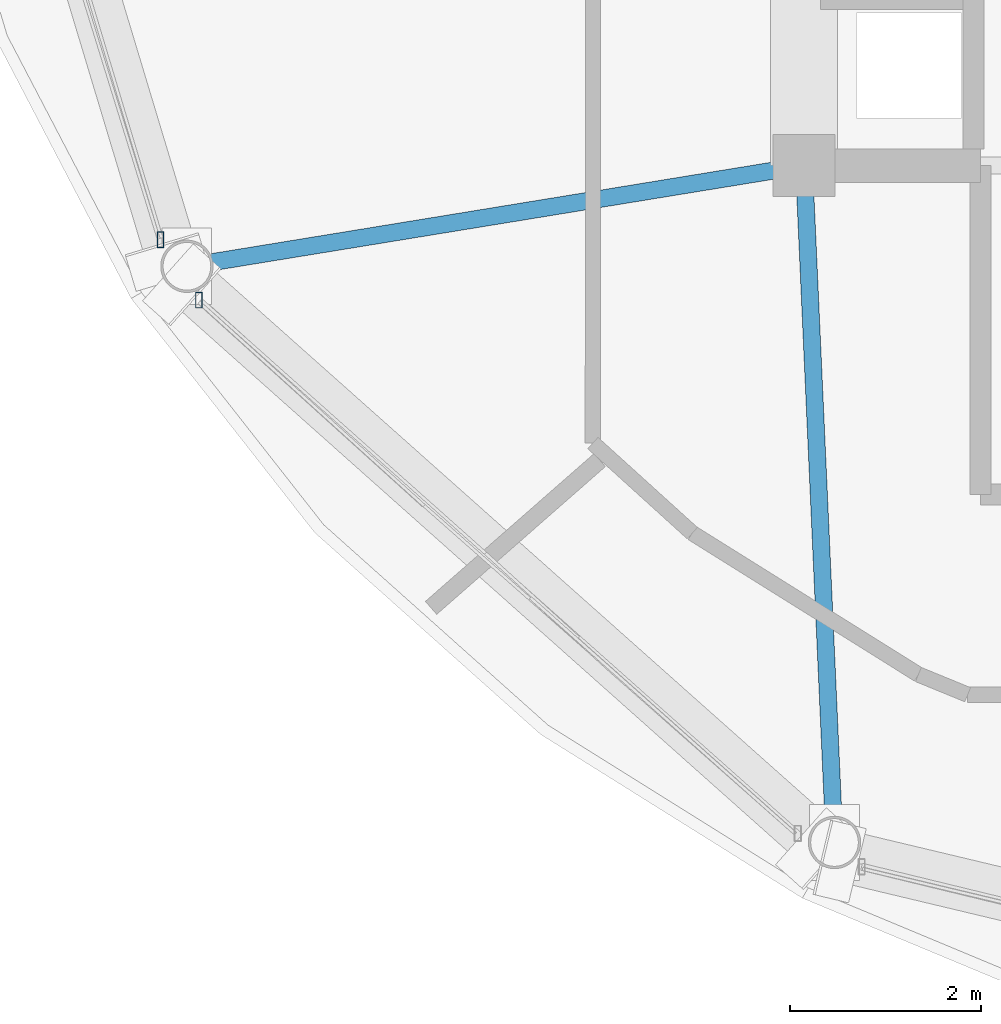
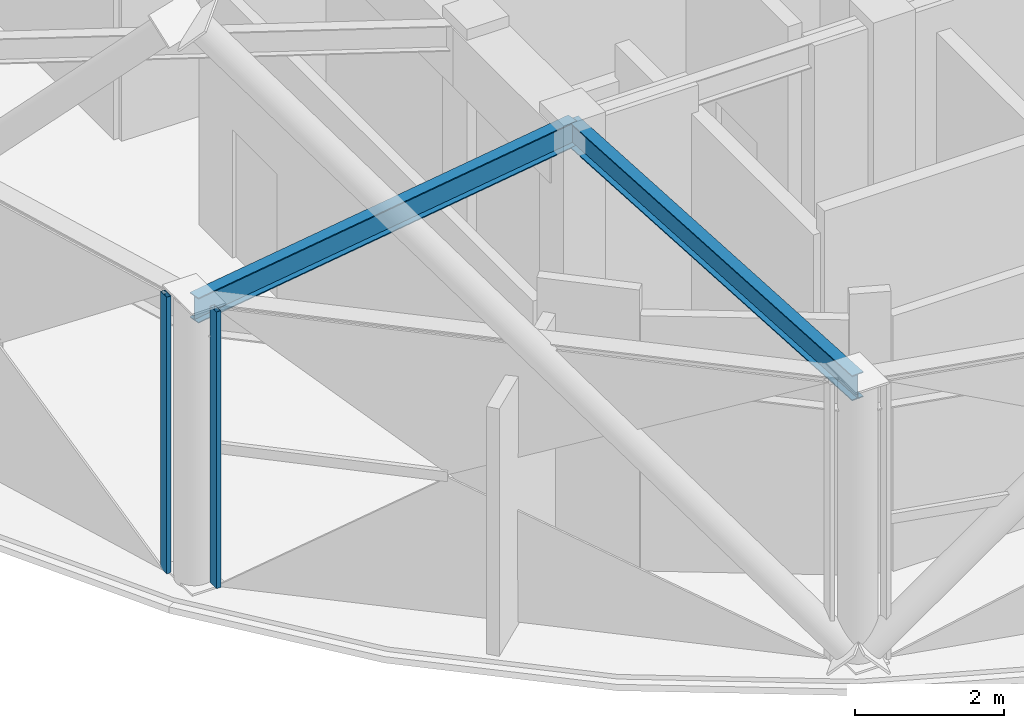
# One storey, part 3 of 27: 2 beams, 2 members, 2 elements without a shape of their own.
"""IFC4 building model written with IfcOpenShell, lengths in metres."""

from ifc_helpers import new_model, si_unit, direction, frame, origin, origin_2d, place, context, subcontext, project, spatial, hollow_rectangle, i_section, extrude, material, layer, layer_set, material_profile, profile_set, type_object, element, aggregate, save


model = new_model("IFC4")

# Units and contexts
model_context = context("Model", 3, precision=1e-05, world=origin(), true_north=direction((0.0, 1.0)))
body_context = subcontext(model_context, "Body", "Model", "MODEL_VIEW")
ifc_project = project(units=[si_unit("LENGTHUNIT", "METRE"), si_unit("AREAUNIT", "SQUARE_METRE"), si_unit("VOLUMEUNIT", "CUBIC_METRE"), si_unit("PLANEANGLEUNIT", "RADIAN"), si_unit("MASSUNIT", "GRAM", prefix="KILO")], contexts=[model_context])

# Site, building, storey
site_placement = place(None, origin())
site = spatial("IfcSite", under=ifc_project, at=site_placement, CompositionType="ELEMENT")
building_placement = place(site_placement, origin())
building = spatial("IfcBuilding", under=site, at=building_placement, Name="Vantalir Tower", CompositionType="ELEMENT")
storey_placement = place(building_placement, frame((0.0, 0.0, 290.10009765625)))
storey = spatial("IfcBuildingStorey", under=building, at=storey_placement, Name="L73", CompositionType="ELEMENT", Elevation=290.10009765625)

# Beams
ifc_material_1 = material(Name="Steel S355", Category="steel")
ifc_material_profile_1 = material_profile(ifc_material_1, i_section(OverallWidth=0.179931640625, OverallDepth=0.4130859375, WebThickness=0.009521484375, FlangeThickness=0.01611328125, at=origin_2d()), Name="Steel S355")
ifc_profile_set_1 = profile_set([ifc_material_profile_1], Name="Steel S355")
beam_type = type_object("IfcBeamType", Name="BM-RB-406x178", PredefinedType="BEAM", material=ifc_profile_set_1)
beam_1_placement = place(storey_placement, frame((15.427001953125, 16.743896484375, 4.413818359375), z_axis=(0.986948581599, 0.161035701882, 0.0), x_axis=(-0.161035701882, 0.986948581599, 0.0)))
element("IfcBeam", 1, at=beam_1_placement, inside=storey, type_object=beam_type, Name="L73 Radial Floor Beam 08", PredefinedType="BEAM", context=body_context, shape_type="SweptSolid", body=[
    extrude(i_section(OverallWidth=0.179931640625, OverallDepth=0.4130859375, WebThickness=0.009521484375, FlangeThickness=0.01611328125, at=origin_2d()), origin(), (0.0, 0.0, 1.0), 6.55859375),
])
beam_2_placement = place(storey_placement, frame((22.219970703125, 10.699951171875, 4.413818359375), z_axis=(-0.045033696072, 0.998985468472, 0.0), x_axis=(-0.998985468472, -0.045033696072, 0.0)))
element("IfcBeam", 2, at=beam_2_placement, inside=storey, type_object=beam_type, Name="L73 Radial Floor Beam 09", PredefinedType="BEAM", context=body_context, shape_type="SweptSolid", body=[
    extrude(i_section(OverallWidth=0.179931640625, OverallDepth=0.4130859375, WebThickness=0.009521484375, FlangeThickness=0.01611328125, at=origin_2d()), origin(), (0.0, 0.0, 1.0), 7.107421875),
])

# Curtain wall, member
ifc_material_2 = material(Name="Champagne-silver PVDF aluminium and double-silver Low-E glass", Category="aluminium")
ifc_layer = layer(ifc_material_2, 0.219970703125)
ifc_layer_set = layer_set([ifc_layer], Name="Champagne-silver PVDF aluminium and double-silver Low-E glass")
curtain_wall_type = type_object("IfcCurtainWallType", Name="CW-DIAMOND-Z4", PredefinedType="USERDEFINED", material=ifc_layer_set)
curtain_wall_1_placement = place(storey_placement, origin())
curtain_wall_1 = element("IfcCurtainWall", 3, at=curtain_wall_1_placement, inside=storey, type_object=curtain_wall_type, Name="L73 Quilted Pyramid-Diamond Curtain Wall S07", ObjectType="UNITISED CURTAIN WALL", PredefinedType="USERDEFINED")
ifc_material_3 = material(Name="Champagne-silver PVDF aluminium 6063-T6", Category="aluminium")
ifc_material_profile_2 = material_profile(ifc_material_3, hollow_rectangle(XDim=0.070068359375, YDim=0.1650390625, WallThickness=0.00390625, at=origin_2d()), Name="Champagne-silver PVDF aluminium 6063-T6")
ifc_profile_set_2 = profile_set([ifc_material_profile_2], Name="Champagne-silver PVDF aluminium 6063-T6")
member_type = type_object("IfcMemberType", Name="CWM-165x70", PredefinedType="MULLION", material=ifc_profile_set_2)
member_1_placement = place(storey_placement, frame((15.14990234375, 17.02197265625, 0.044921875), z_axis=(0.0, 0.0, 1.0), x_axis=(1.0, 0.0, 0.0)))
member_1 = element("IfcMember", 4, at=member_1_placement, type_object=member_type, Name="CW-L73-S07 Mullion 2", PredefinedType="MULLION", context=body_context, shape_type="SweptSolid", body=[
    extrude(hollow_rectangle(XDim=0.070068359375, YDim=0.1650390625, WallThickness=0.00390625, at=origin_2d()), origin(), (0.0, 0.0, 1.0), 4.530029296875),
])
aggregate(curtain_wall_1, [member_1])

curtain_wall_2_placement = place(storey_placement, origin())
curtain_wall_2 = element("IfcCurtainWall", 5, at=curtain_wall_2_placement, inside=storey, type_object=curtain_wall_type, Name="L73 Quilted Pyramid-Diamond Curtain Wall S08", ObjectType="UNITISED CURTAIN WALL", PredefinedType="USERDEFINED")
member_2_placement = place(storey_placement, frame((15.552978515625, 16.389892578125, 0.044921875), z_axis=(0.0, 0.0, 1.0), x_axis=(1.0, 0.0, 0.0)))
member_2 = element("IfcMember", 6, at=member_2_placement, type_object=member_type, Name="CW-L73-S08 Mullion 1", PredefinedType="MULLION", context=body_context, shape_type="SweptSolid", body=[
    extrude(hollow_rectangle(XDim=0.070068359375, YDim=0.1650390625, WallThickness=0.00390625, at=origin_2d()), origin(), (0.0, 0.0, 1.0), 4.530029296875),
])
aggregate(curtain_wall_2, [member_2])

save(model, "model.ifc")
